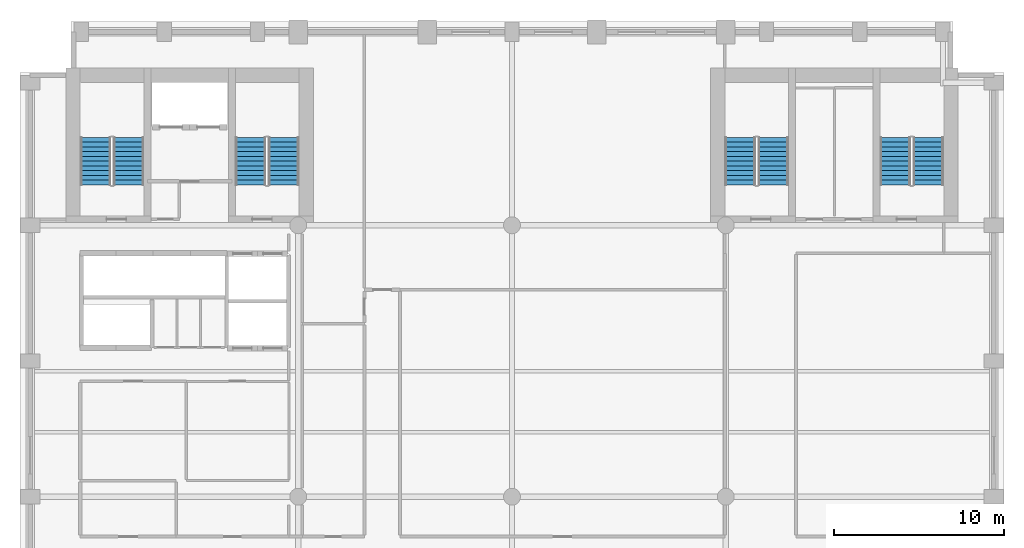
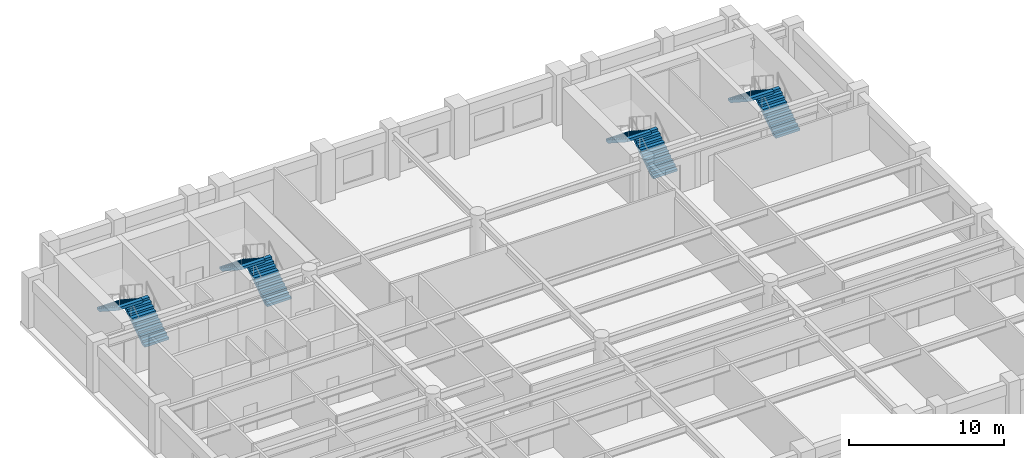
# One storey, part 6 of 8: 8 stair flights, 4 elements without a shape of their own.
"""IFC4 building model written with IfcOpenShell, lengths in metres."""

from ifc_helpers import new_model, si_unit, direction, frame, origin, place, context, subcontext, project, spatial, polyline, outline, extrude, material, type_object, element, aggregate, save


model = new_model("IFC4")

# Units and contexts
model_context = context("Model", 3, precision=1e-05, world=origin(), true_north=direction((0.0, 1.0)))
body_context = subcontext(model_context, "Body", "Model", "MODEL_VIEW")
ifc_project = project(units=[si_unit("LENGTHUNIT", "METRE"), si_unit("AREAUNIT", "SQUARE_METRE"), si_unit("VOLUMEUNIT", "CUBIC_METRE"), si_unit("PLANEANGLEUNIT", "RADIAN"), si_unit("MASSUNIT", "GRAM", prefix="KILO")], contexts=[model_context])

# Site, building, storey
site_placement = place(None, origin())
site = spatial("IfcSite", under=ifc_project, at=site_placement, CompositionType="ELEMENT")
building_placement = place(site_placement, origin())
building = spatial("IfcBuilding", under=site, at=building_placement, Name="Sulina Concourse Tower", CompositionType="ELEMENT")
storey_placement = place(building_placement, frame((0.0, 0.0, 156.60009765625)))
storey = spatial("IfcBuildingStorey", under=building, at=storey_placement, Name="L38", CompositionType="ELEMENT", Elevation=156.60009765625)

# Stair, stair flights
ifc_material_1 = material(Name="Concrete C50/60", Category="concrete")
stair_type_1 = type_object("IfcStairType", Name="Portal & Podium Core Exit Stair 1820mm", PredefinedType="HALF_TURN_STAIR", material=ifc_material_1)
stair_1_placement = place(storey_placement, origin())
stair_1 = element("IfcStair", 1, at=stair_1_placement, inside=storey, type_object=stair_type_1, Name="L38 ST-3", PredefinedType="HALF_TURN_STAIR")
ifc_material_2 = material(Name="Concrete C50/60", Category="concrete")
stair_flight_type_1 = type_object("IfcStairFlightType", Name="Portal & Podium Core Exit Stair 1820mm Flight", PredefinedType="STRAIGHT", material=ifc_material_2)
stair_flight_1_placement = place(storey_placement, frame((44.405029296875, 36.375, 0.0), z_axis=(0.0, 0.0, 1.0), x_axis=(0.0, 1.0, 0.0)))
stair_flight_1 = element("IfcStairFlight", 2, at=stair_flight_1_placement, type_object=stair_flight_type_1, Name="ST-3 flight 1", NumberOfRisers=11, NumberOfTreads=10, PredefinedType="STRAIGHT", RiserHeight=0.181818182, TreadLength=0.28, context=body_context, shape_type="SweptSolid", body=[
    extrude(outline(polyline([(0.0, 0.0), (0.0, 0.181884765625), (0.280029296875, 0.181884765625), (0.280029296875, 0.363525390625), (0.56005859375, 0.363525390625), (0.56005859375, 0.54541015625), (0.840087890625, 0.54541015625), (0.840087890625, 0.727294921875), (1.1201171875, 0.727294921875), (1.1201171875, 0.9091796875), (1.39990234375, 0.9091796875), (1.39990234375, 1.0908203125), (1.679931640625, 1.0908203125), (1.679931640625, 1.272705078125), (1.9599609375, 1.272705078125), (1.9599609375, 1.45458984375), (2.239990234375, 1.45458984375), (2.239990234375, 1.636474609375), (2.52001953125, 1.636474609375), (2.52001953125, 1.818115234375), (2.800048828125, 1.818115234375), (2.800048828125, 2.0), (2.800048828125, 1.603759765625), (0.330322265625, 0.0), (0.0, 0.0)])), frame((0.0, 0.89990234375, 0.0), z_axis=(0.0, -1.0, 0.0), x_axis=(1.0, 0.0, 0.0)), (0.0, 0.0, 1.0), 1.800048828125),
])
stair_flight_2_placement = place(storey_placement, frame((42.455078125, 39.175048828125, 2.0), z_axis=(0.0, 0.0, 1.0), x_axis=(0.0, -1.0, 0.0)))
stair_flight_2 = element("IfcStairFlight", 3, at=stair_flight_2_placement, type_object=stair_flight_type_1, Name="ST-3 flight 2", NumberOfRisers=11, NumberOfTreads=10, PredefinedType="STRAIGHT", RiserHeight=0.181818182, TreadLength=0.28, context=body_context, shape_type="SweptSolid", body=[
    extrude(outline(polyline([(0.0, 0.0), (0.0, 0.181884765625), (0.280029296875, 0.181884765625), (0.280029296875, 0.363525390625), (0.56005859375, 0.363525390625), (0.56005859375, 0.54541015625), (0.840087890625, 0.54541015625), (0.840087890625, 0.727294921875), (1.1201171875, 0.727294921875), (1.1201171875, 0.9091796875), (1.39990234375, 0.9091796875), (1.39990234375, 1.0908203125), (1.679931640625, 1.0908203125), (1.679931640625, 1.272705078125), (1.9599609375, 1.272705078125), (1.9599609375, 1.45458984375), (2.239990234375, 1.45458984375), (2.239990234375, 1.636474609375), (2.52001953125, 1.636474609375), (2.52001953125, 1.818115234375), (2.800048828125, 1.818115234375), (2.800048828125, 2.0), (2.800048828125, 1.603759765625), (0.330322265625, 0.0), (0.0, 0.0)])), frame((0.0, 0.89990234375, 0.0), z_axis=(0.0, -1.0, 0.0), x_axis=(1.0, 0.0, 0.0)), (0.0, 0.0, 1.0), 1.800048828125),
])
aggregate(stair_1, [stair_flight_1, stair_flight_2])

stair_2_placement = place(storey_placement, origin())
stair_2 = element("IfcStair", 4, at=stair_2_placement, inside=storey, type_object=stair_type_1, Name="L38 ST-4", PredefinedType="HALF_TURN_STAIR")
stair_flight_3_placement = place(storey_placement, frame((53.544921875, 36.375, 0.0), z_axis=(0.0, 0.0, 1.0), x_axis=(0.0, 1.0, 0.0)))
stair_flight_3 = element("IfcStairFlight", 5, at=stair_flight_3_placement, type_object=stair_flight_type_1, Name="ST-4 flight 1", NumberOfRisers=11, NumberOfTreads=10, PredefinedType="STRAIGHT", RiserHeight=0.181818182, TreadLength=0.28, context=body_context, shape_type="SweptSolid", body=[
    extrude(outline(polyline([(0.0, 0.0), (0.0, 0.181884765625), (0.280029296875, 0.181884765625), (0.280029296875, 0.363525390625), (0.56005859375, 0.363525390625), (0.56005859375, 0.54541015625), (0.840087890625, 0.54541015625), (0.840087890625, 0.727294921875), (1.1201171875, 0.727294921875), (1.1201171875, 0.9091796875), (1.39990234375, 0.9091796875), (1.39990234375, 1.0908203125), (1.679931640625, 1.0908203125), (1.679931640625, 1.272705078125), (1.9599609375, 1.272705078125), (1.9599609375, 1.45458984375), (2.239990234375, 1.45458984375), (2.239990234375, 1.636474609375), (2.52001953125, 1.636474609375), (2.52001953125, 1.818115234375), (2.800048828125, 1.818115234375), (2.800048828125, 2.0), (2.800048828125, 1.603759765625), (0.330322265625, 0.0), (0.0, 0.0)])), frame((0.0, 0.89990234375, 0.0), z_axis=(0.0, -1.0, 0.0), x_axis=(1.0, 0.0, 0.0)), (0.0, 0.0, 1.0), 1.800048828125),
])
stair_flight_4_placement = place(storey_placement, frame((51.594970703125, 39.175048828125, 2.0), z_axis=(0.0, 0.0, 1.0), x_axis=(0.0, -1.0, 0.0)))
stair_flight_4 = element("IfcStairFlight", 6, at=stair_flight_4_placement, type_object=stair_flight_type_1, Name="ST-4 flight 2", NumberOfRisers=11, NumberOfTreads=10, PredefinedType="STRAIGHT", RiserHeight=0.181818182, TreadLength=0.28, context=body_context, shape_type="SweptSolid", body=[
    extrude(outline(polyline([(0.0, 0.0), (0.0, 0.181884765625), (0.280029296875, 0.181884765625), (0.280029296875, 0.363525390625), (0.56005859375, 0.363525390625), (0.56005859375, 0.54541015625), (0.840087890625, 0.54541015625), (0.840087890625, 0.727294921875), (1.1201171875, 0.727294921875), (1.1201171875, 0.9091796875), (1.39990234375, 0.9091796875), (1.39990234375, 1.0908203125), (1.679931640625, 1.0908203125), (1.679931640625, 1.272705078125), (1.9599609375, 1.272705078125), (1.9599609375, 1.45458984375), (2.239990234375, 1.45458984375), (2.239990234375, 1.636474609375), (2.52001953125, 1.636474609375), (2.52001953125, 1.818115234375), (2.800048828125, 1.818115234375), (2.800048828125, 2.0), (2.800048828125, 1.603759765625), (0.330322265625, 0.0), (0.0, 0.0)])), frame((0.0, 0.89990234375, 0.0), z_axis=(0.0, -1.0, 0.0), x_axis=(1.0, 0.0, 0.0)), (0.0, 0.0, 1.0), 1.800048828125),
])
aggregate(stair_2, [stair_flight_3, stair_flight_4])

ifc_material_3 = material(Name="Concrete C50/60", Category="concrete")
stair_type_2 = type_object("IfcStairType", Name="Primary Core Dog-Leg Exit Stair 1800mm", PredefinedType="HALF_TURN_STAIR", material=ifc_material_3)
stair_3_placement = place(storey_placement, origin())
stair_3 = element("IfcStair", 7, at=stair_3_placement, inside=storey, type_object=stair_type_2, Name="L38 ST-1", PredefinedType="HALF_TURN_STAIR")
ifc_material_4 = material(Name="Concrete C50/60", Category="concrete")
stair_flight_type_2 = type_object("IfcStairFlightType", Name="Primary Core Dog-Leg Exit Stair 1800mm Flight", PredefinedType="STRAIGHT", material=ifc_material_4)
stair_flight_5_placement = place(storey_placement, frame((6.405029296875, 36.375, 0.0), z_axis=(0.0, 0.0, 1.0), x_axis=(0.0, 1.0, 0.0)))
stair_flight_5 = element("IfcStairFlight", 8, at=stair_flight_5_placement, type_object=stair_flight_type_2, Name="ST-1 flight 1", NumberOfRisers=11, NumberOfTreads=10, PredefinedType="STRAIGHT", RiserHeight=0.181818182, TreadLength=0.28, context=body_context, shape_type="SweptSolid", body=[
    extrude(outline(polyline([(0.0, 0.0), (0.0, 0.181884765625), (0.280029296875, 0.181884765625), (0.280029296875, 0.363525390625), (0.56005859375, 0.363525390625), (0.56005859375, 0.54541015625), (0.840087890625, 0.54541015625), (0.840087890625, 0.727294921875), (1.1201171875, 0.727294921875), (1.1201171875, 0.9091796875), (1.39990234375, 0.9091796875), (1.39990234375, 1.0908203125), (1.679931640625, 1.0908203125), (1.679931640625, 1.272705078125), (1.9599609375, 1.272705078125), (1.9599609375, 1.45458984375), (2.239990234375, 1.45458984375), (2.239990234375, 1.636474609375), (2.52001953125, 1.636474609375), (2.52001953125, 1.818115234375), (2.800048828125, 1.818115234375), (2.800048828125, 2.0), (2.800048828125, 1.603759765625), (0.330322265625, 0.0), (0.0, 0.0)])), frame((0.0, 0.89990234375, 0.0), z_axis=(0.0, -1.0, 0.0), x_axis=(1.0, 0.0, 0.0)), (0.0, 0.0, 1.0), 1.800048828125),
])
stair_flight_6_placement = place(storey_placement, frame((4.455078125, 39.175048828125, 2.0), z_axis=(0.0, 0.0, 1.0), x_axis=(0.0, -1.0, 0.0)))
stair_flight_6 = element("IfcStairFlight", 9, at=stair_flight_6_placement, type_object=stair_flight_type_2, Name="ST-1 flight 2", NumberOfRisers=11, NumberOfTreads=10, PredefinedType="STRAIGHT", RiserHeight=0.181818182, TreadLength=0.28, context=body_context, shape_type="SweptSolid", body=[
    extrude(outline(polyline([(0.0, 0.0), (0.0, 0.181884765625), (0.280029296875, 0.181884765625), (0.280029296875, 0.363525390625), (0.56005859375, 0.363525390625), (0.56005859375, 0.54541015625), (0.840087890625, 0.54541015625), (0.840087890625, 0.727294921875), (1.1201171875, 0.727294921875), (1.1201171875, 0.9091796875), (1.39990234375, 0.9091796875), (1.39990234375, 1.0908203125), (1.679931640625, 1.0908203125), (1.679931640625, 1.272705078125), (1.9599609375, 1.272705078125), (1.9599609375, 1.45458984375), (2.239990234375, 1.45458984375), (2.239990234375, 1.636474609375), (2.52001953125, 1.636474609375), (2.52001953125, 1.818115234375), (2.800048828125, 1.818115234375), (2.800048828125, 2.0), (2.800048828125, 1.603759765625), (0.330322265625, 0.0), (0.0, 0.0)])), frame((0.0, 0.89990234375, 0.0), z_axis=(0.0, -1.0, 0.0), x_axis=(1.0, 0.0, 0.0)), (0.0, 0.0, 1.0), 1.800048828125),
])
aggregate(stair_3, [stair_flight_5, stair_flight_6])

stair_4_placement = place(storey_placement, origin())
stair_4 = element("IfcStair", 10, at=stair_4_placement, inside=storey, type_object=stair_type_2, Name="L38 ST-2", PredefinedType="HALF_TURN_STAIR")
stair_flight_7_placement = place(storey_placement, frame((15.544921875, 36.375, 0.0), z_axis=(0.0, 0.0, 1.0), x_axis=(0.0, 1.0, 0.0)))
stair_flight_7 = element("IfcStairFlight", 11, at=stair_flight_7_placement, type_object=stair_flight_type_2, Name="ST-2 flight 1", NumberOfRisers=11, NumberOfTreads=10, PredefinedType="STRAIGHT", RiserHeight=0.181818182, TreadLength=0.28, context=body_context, shape_type="SweptSolid", body=[
    extrude(outline(polyline([(0.0, 0.0), (0.0, 0.181884765625), (0.280029296875, 0.181884765625), (0.280029296875, 0.363525390625), (0.56005859375, 0.363525390625), (0.56005859375, 0.54541015625), (0.840087890625, 0.54541015625), (0.840087890625, 0.727294921875), (1.1201171875, 0.727294921875), (1.1201171875, 0.9091796875), (1.39990234375, 0.9091796875), (1.39990234375, 1.0908203125), (1.679931640625, 1.0908203125), (1.679931640625, 1.272705078125), (1.9599609375, 1.272705078125), (1.9599609375, 1.45458984375), (2.239990234375, 1.45458984375), (2.239990234375, 1.636474609375), (2.52001953125, 1.636474609375), (2.52001953125, 1.818115234375), (2.800048828125, 1.818115234375), (2.800048828125, 2.0), (2.800048828125, 1.603759765625), (0.330322265625, 0.0), (0.0, 0.0)])), frame((0.0, 0.89990234375, 0.0), z_axis=(0.0, -1.0, 0.0), x_axis=(1.0, 0.0, 0.0)), (0.0, 0.0, 1.0), 1.800048828125),
])
stair_flight_8_placement = place(storey_placement, frame((13.594970703125, 39.175048828125, 2.0), z_axis=(0.0, 0.0, 1.0), x_axis=(0.0, -1.0, 0.0)))
stair_flight_8 = element("IfcStairFlight", 12, at=stair_flight_8_placement, type_object=stair_flight_type_2, Name="ST-2 flight 2", NumberOfRisers=11, NumberOfTreads=10, PredefinedType="STRAIGHT", RiserHeight=0.181818182, TreadLength=0.28, context=body_context, shape_type="SweptSolid", body=[
    extrude(outline(polyline([(0.0, 0.0), (0.0, 0.181884765625), (0.280029296875, 0.181884765625), (0.280029296875, 0.363525390625), (0.56005859375, 0.363525390625), (0.56005859375, 0.54541015625), (0.840087890625, 0.54541015625), (0.840087890625, 0.727294921875), (1.1201171875, 0.727294921875), (1.1201171875, 0.9091796875), (1.39990234375, 0.9091796875), (1.39990234375, 1.0908203125), (1.679931640625, 1.0908203125), (1.679931640625, 1.272705078125), (1.9599609375, 1.272705078125), (1.9599609375, 1.45458984375), (2.239990234375, 1.45458984375), (2.239990234375, 1.636474609375), (2.52001953125, 1.636474609375), (2.52001953125, 1.818115234375), (2.800048828125, 1.818115234375), (2.800048828125, 2.0), (2.800048828125, 1.603759765625), (0.330322265625, 0.0), (0.0, 0.0)])), frame((0.0, 0.89990234375, 0.0), z_axis=(0.0, -1.0, 0.0), x_axis=(1.0, 0.0, 0.0)), (0.0, 0.0, 1.0), 1.800048828125),
])
aggregate(stair_4, [stair_flight_7, stair_flight_8])

save(model, "model.ifc")
